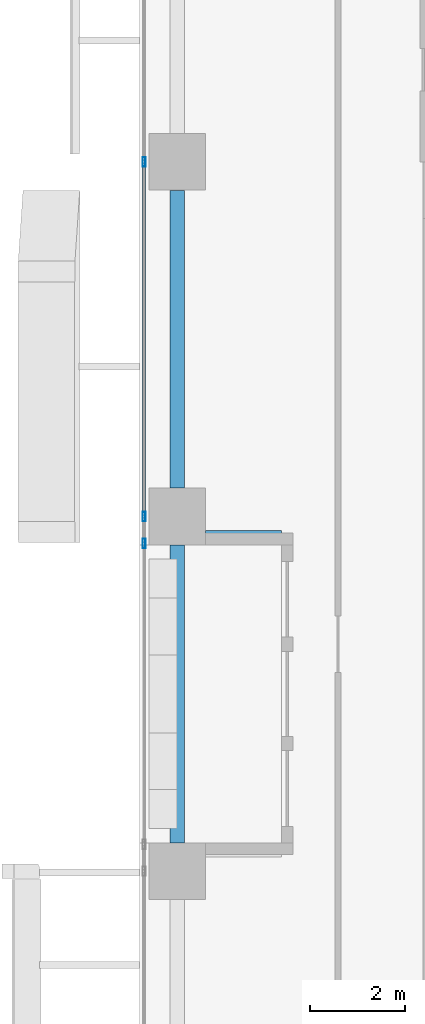
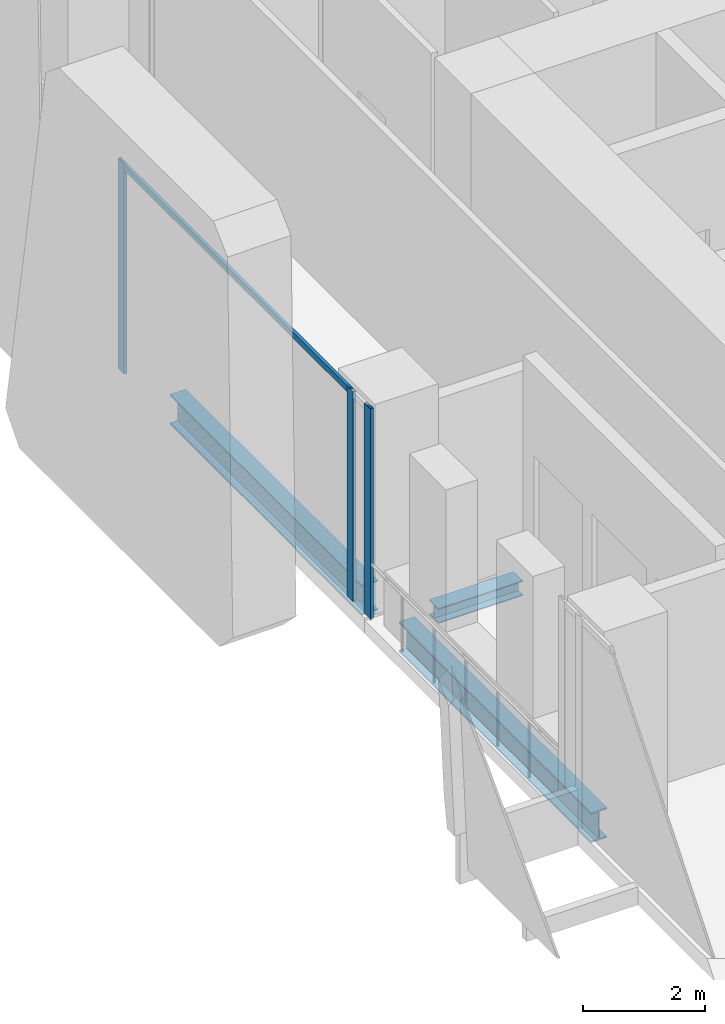
# One storey, part 14 of 37: 4 members, 3 beams, 1 element without a shape of its own.
"""IFC4 building model written with IfcOpenShell, lengths in metres."""

from ifc_helpers import new_model, si_unit, direction, frame, origin, origin_2d, place, context, subcontext, project, spatial, hollow_rectangle, i_section, extrude, source, transform, mapped, material, material_profile, profile_set, type_object, element, aggregate, save


model = new_model("IFC4")

# Units and contexts
model_context = context("Model", 3, precision=1e-05, world=origin(), true_north=direction((0.0, 1.0)))
body_context = subcontext(model_context, "Body", "Model", "MODEL_VIEW")
ifc_project = project(units=[si_unit("LENGTHUNIT", "METRE"), si_unit("AREAUNIT", "SQUARE_METRE"), si_unit("VOLUMEUNIT", "CUBIC_METRE"), si_unit("PLANEANGLEUNIT", "RADIAN"), si_unit("MASSUNIT", "GRAM", prefix="KILO")], contexts=[model_context])

# Site, building, storey
site_placement = place(None, origin())
site = spatial("IfcSite", under=ifc_project, at=site_placement, CompositionType="ELEMENT")
building_placement = place(site_placement, origin())
building = spatial("IfcBuilding", under=site, at=building_placement, Name="Khomas Fold Tower", CompositionType="ELEMENT")
storey_placement = place(building_placement, frame((0.0, 0.0, 60.0)))
storey = spatial("IfcBuildingStorey", under=building, at=storey_placement, Name="L12", CompositionType="ELEMENT", Elevation=60.0)

# Beams
ifc_material_1 = material(Name="Steel S355", Category="steel")
ifc_material_profile_1 = material_profile(ifc_material_1, i_section(OverallWidth=0.300048828125, OverallDepth=0.60009765625, WebThickness=0.015380859375, FlangeThickness=0.030029296875, at=origin_2d()), Name="HE 600 B")
ifc_profile_set_1 = profile_set([ifc_material_profile_1], Name="Steel S355")
beam_type_1 = type_object("IfcBeamType", Name="HE 600 B spandrel SB1", PredefinedType="SPANDREL", material=ifc_profile_set_1)
shared_shape_1 = source(origin(), body_context, "Body", "SweptSolid", [
    extrude(i_section(OverallWidth=0.300048828125, OverallDepth=0.60009765625, WebThickness=0.015380859375, FlangeThickness=0.030029296875, at=origin_2d()), origin(), (0.0, 0.0, 1.0), 6.2998046875),
])
for number, where, z_axis, x_axis, name in (
    (1, (0.800048828125, 35.10009765625, -0.60009765625), (0.0, 1.0, 0.0), (-1.0, 0.0, 0.0), "SB1"),
    (2, (0.800048828125, 27.60009765625, -0.60009765625), (0.0, 1.0, 0.0), (-1.0, 0.0, 0.0), "SB1"),
):
    element("IfcBeam", number, at=place(storey_placement, frame(where, z_axis=z_axis, x_axis=x_axis)), inside=storey, type_object=beam_type_1, Name=name, PredefinedType="SPANDREL", context=body_context, shape_type="MappedRepresentation", body=[
        mapped(shared_shape_1, transform((0.0, 0.0, 0.0))),
    ])
ifc_material_2 = material(Name="Steel S355", Category="steel")
ifc_material_profile_2 = material_profile(ifc_material_2, i_section(OverallWidth=0.300048828125, OverallDepth=0.300048828125, WebThickness=0.010986328125, FlangeThickness=0.01904296875, at=origin_2d()), Name="HE 300 B")
ifc_profile_set_2 = profile_set([ifc_material_profile_2], Name="Steel S355")
beam_type_2 = type_object("IfcBeamType", Name="HE 300 B beam BB1", PredefinedType="BEAM", material=ifc_profile_set_2)
shared_shape_2 = source(origin(), body_context, "Body", "SweptSolid", [
    extrude(i_section(OverallWidth=0.300048828125, OverallDepth=0.300048828125, WebThickness=0.010986328125, FlangeThickness=0.01904296875, at=origin_2d()), origin(), (0.0, 0.0, 1.0), 1.60009765625),
])
beam_placement = place(storey_placement, frame((1.39990234375, 34.050048828125, -0.449951171875), z_axis=(1.0, 0.0, 0.0), x_axis=(0.0, 1.0, 0.0)))
element("IfcBeam", 3, at=beam_placement, inside=storey, type_object=beam_type_2, Name="BB1", PredefinedType="BEAM", context=body_context, shape_type="MappedRepresentation", body=[
    mapped(shared_shape_2, transform((0.0, 0.0, 0.0))),
])

# Curtain wall, members
ifc_material_3 = material(Name="Aluminium framed double glazing", Category="aluminium")
curtain_wall_type = type_object("IfcCurtainWallType", Name="SK-Unitised clear-glass wall, growing floors CW1", PredefinedType="NOTDEFINED", material=ifc_material_3)
curtain_wall_placement = place(storey_placement, origin())
curtain_wall = element("IfcCurtainWall", 4, at=curtain_wall_placement, inside=storey, type_object=curtain_wall_type, Name="CW1 run L12 09-0", PredefinedType="NOTDEFINED")
ifc_material_4 = material(Name="Aluminium", Category="aluminium")
ifc_material_profile_3 = material_profile(ifc_material_4, hollow_rectangle(XDim=0.06005859375, YDim=0.1201171875, WallThickness=0.00390625, at=origin_2d()), Name="SK-Unitised clear-glass wall, growing floors transom CW1-T")
ifc_profile_set_3 = profile_set([ifc_material_profile_3], Name="Aluminium")
member_type_1 = type_object("IfcMemberType", Name="SK-Unitised clear-glass wall, growing floors transom CW1-T", PredefinedType="USERDEFINED", material=ifc_profile_set_3)
shared_shape_3 = source(origin(), body_context, "Body", "SweptSolid", [
    extrude(hollow_rectangle(XDim=0.06005859375, YDim=0.1201171875, WallThickness=0.00390625, at=origin_2d()), origin(), (0.0, 0.0, 1.0), 7.43994140625),
])
member_1_placement = place(storey_placement, frame((0.10009765625, 41.969970703125, 4.139892578125), z_axis=(0.0, -1.0, 0.0), x_axis=(1.0, 0.0, 0.0)))
member_1 = element("IfcMember", 5, at=member_1_placement, type_object=member_type_1, Name="CW1 transom 3", ObjectType="TRANSOM", PredefinedType="USERDEFINED", context=body_context, shape_type="MappedRepresentation", body=[
    mapped(shared_shape_3, transform((0.0, 0.0, 0.0))),
])
ifc_material_5 = material(Name="Aluminium", Category="aluminium")
ifc_material_profile_4 = material_profile(ifc_material_5, hollow_rectangle(XDim=0.06005859375, YDim=0.199951171875, WallThickness=0.00390625, at=origin_2d()), Name="SK-Unitised clear-glass wall, growing floors mullion CW1-M")
ifc_profile_set_4 = profile_set([ifc_material_profile_4], Name="Aluminium")
member_type_2 = type_object("IfcMemberType", Name="SK-Unitised clear-glass wall, growing floors mullion CW1-M", PredefinedType="MULLION", material=ifc_profile_set_4)
shared_shape_4 = source(origin(), body_context, "Body", "SweptSolid", [
    extrude(hollow_rectangle(XDim=0.06005859375, YDim=0.199951171875, WallThickness=0.00390625, at=origin_2d()), origin(), (0.0, 0.0, 1.0), 4.199951171875),
])
member_2_placement = place(storey_placement, frame((0.10009765625, 42.0, 0.0), z_axis=(0.0, 0.0, 1.0), x_axis=(1.0, 0.0, 0.0)))
member_2 = element("IfcMember", 6, at=member_2_placement, type_object=member_type_2, Name="CW1 mullion 3", PredefinedType="MULLION", context=body_context, shape_type="MappedRepresentation", body=[
    mapped(shared_shape_4, transform((0.0, 0.0, 0.0))),
])
member_3_placement = place(storey_placement, frame((0.10009765625, 34.5, 0.0), z_axis=(0.0, 0.0, 1.0), x_axis=(1.0, 0.0, 0.0)))
member_3 = element("IfcMember", 7, at=member_3_placement, type_object=member_type_2, Name="CW1 mullion 4", PredefinedType="MULLION", context=body_context, shape_type="MappedRepresentation", body=[
    mapped(shared_shape_4, transform((0.0, 0.0, 0.0))),
])
member_4_placement = place(storey_placement, frame((0.10009765625, 33.929931640625, 0.0), z_axis=(0.0, 0.0, 1.0), x_axis=(1.0, 0.0, 0.0)))
member_4 = element("IfcMember", 8, at=member_4_placement, type_object=member_type_2, Name="CW1 mullion 5", PredefinedType="MULLION", context=body_context, shape_type="MappedRepresentation", body=[
    mapped(shared_shape_4, transform((0.0, 0.0, 0.0))),
])
aggregate(curtain_wall, [member_2, member_3, member_4, member_1])

save(model, "model.ifc")
